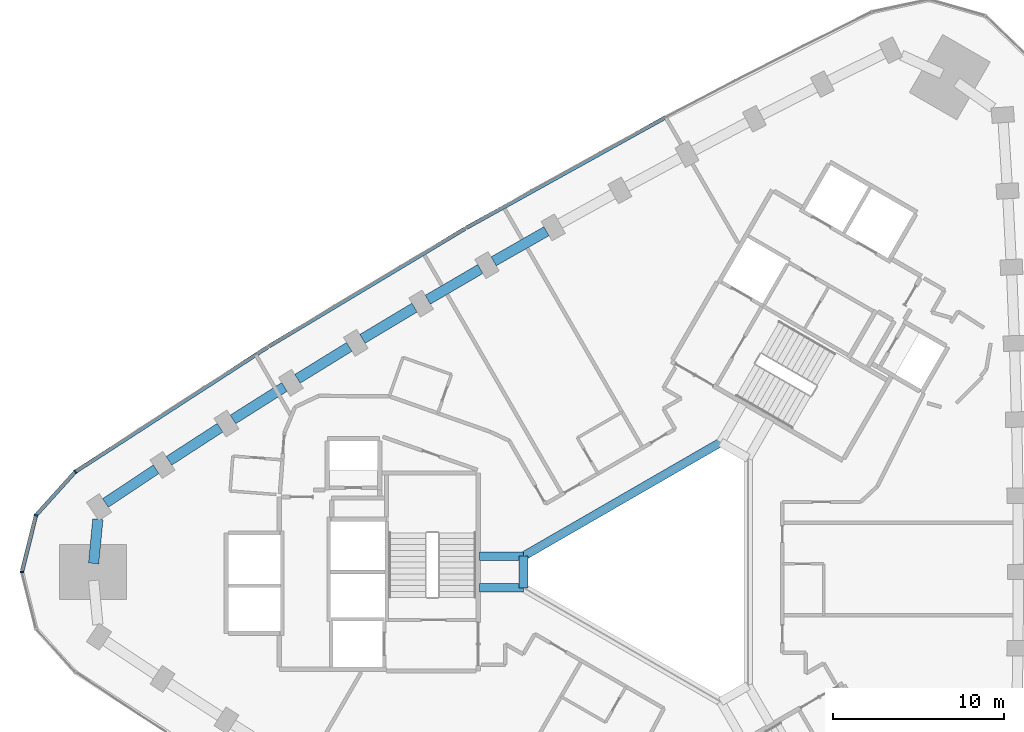
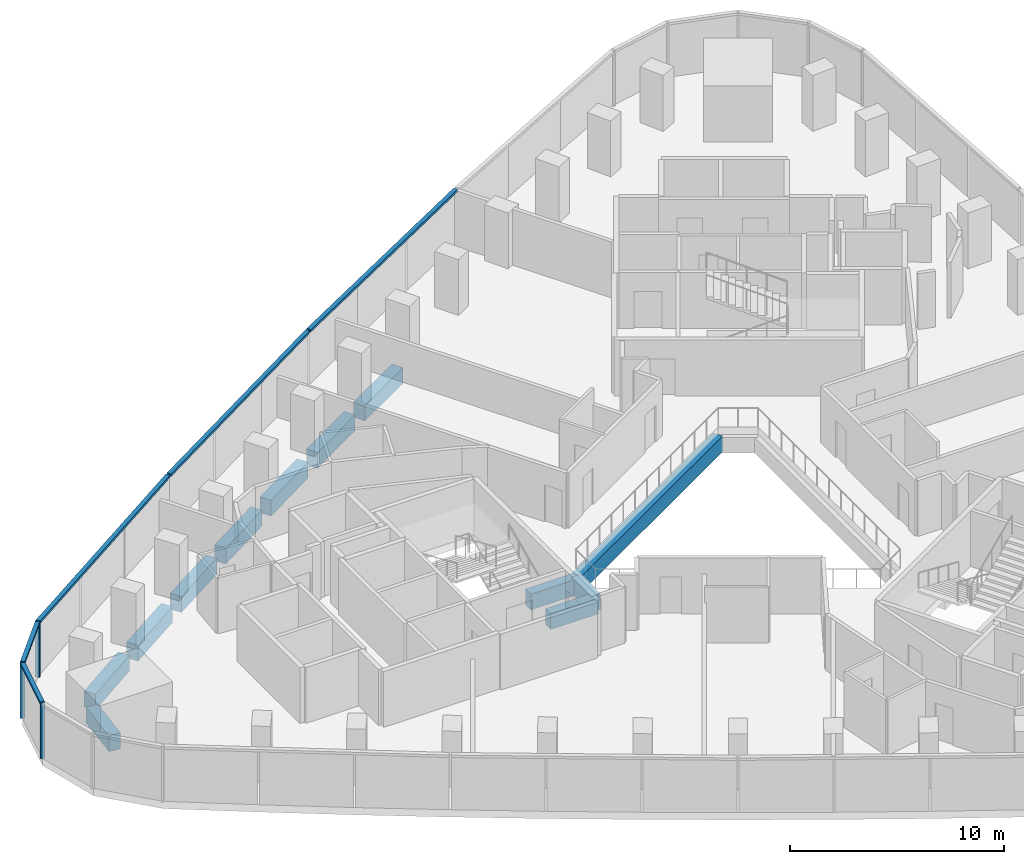
# One storey, part 4 of 12: 12 beams, 8 members, 1 element without a shape of its own.
"""IFC4 building model written with IfcOpenShell, lengths in metres."""

from ifc_helpers import new_model, si_unit, direction, frame, origin, origin_2d, place, context, subcontext, project, spatial, rectangle, extrude, material, material_profile, profile_set, type_object, element, aggregate, save


model = new_model("IFC4")

# Units and contexts
model_context = context("Model", 3, precision=1e-05, world=origin(), true_north=direction((0.0, 1.0)))
body_context = subcontext(model_context, "Body", "Model", "MODEL_VIEW")
ifc_project = project(units=[si_unit("LENGTHUNIT", "METRE"), si_unit("AREAUNIT", "SQUARE_METRE"), si_unit("VOLUMEUNIT", "CUBIC_METRE"), si_unit("PLANEANGLEUNIT", "RADIAN"), si_unit("MASSUNIT", "GRAM", prefix="KILO")], contexts=[model_context])

# Site, building, storey
site_placement = place(None, origin())
site = spatial("IfcSite", under=ifc_project, at=site_placement, CompositionType="ELEMENT")
building_placement = place(site_placement, origin())
building = spatial("IfcBuilding", under=site, at=building_placement, Name="Tamra Quay Hotel Tower", CompositionType="ELEMENT")
storey_placement = place(building_placement, frame((0.0, 0.0, 93.800048828125)))
storey = spatial("IfcBuildingStorey", under=building, at=storey_placement, Name="L22", CompositionType="ELEMENT", Elevation=93.800048828125)

# Beams
ifc_material_1 = material(Name="Concrete M60", Category="concrete")
ifc_material_profile_1 = material_profile(ifc_material_1, rectangle(XDim=0.5, YDim=0.89990234375, at=origin_2d()), Name="ATRIUM EDGE BEAM RC 500x900")
ifc_profile_set_1 = profile_set([ifc_material_profile_1], Name="Concrete M60")
beam_type_1 = type_object("IfcBeamType", Name="ATRIUM EDGE BEAM RC 500x900", PredefinedType="BEAM", material=ifc_profile_set_1)
beam_1_placement = place(storey_placement, frame((-8.199951171875, -0.923828125, -0.875), z_axis=(0.0, 1.0, 0.0), x_axis=(-1.0, 0.0, 0.0)))
element("IfcBeam", 1, at=beam_1_placement, inside=storey, type_object=beam_type_1, Name="BM-AB3-L22", PredefinedType="BEAM", context=body_context, shape_type="SweptSolid", body=[
    extrude(rectangle(XDim=0.5, YDim=0.89990234375, at=origin_2d()), origin(), (0.0, 0.0, 1.0), 1.84765625),
])
beam_2_placement = place(storey_placement, frame((-8.199951171875, 0.923828125, -0.875), z_axis=(0.866029440693, 0.499993007805, 0.0), x_axis=(-0.499993007805, 0.866029440693, 0.0)))
element("IfcBeam", 2, at=beam_2_placement, inside=storey, type_object=beam_type_1, Name="BM-AB4-L22", PredefinedType="BEAM", context=body_context, shape_type="SweptSolid", body=[
    extrude(rectangle(XDim=0.5, YDim=0.89990234375, at=origin_2d()), origin(), (0.0, 0.0, 1.0), 13.279052734375),
])
ifc_material_profile_2 = material_profile(ifc_material_1, rectangle(XDim=0.5, YDim=0.89990234375, at=origin_2d()), Name="ATRIUM TIE BEAM RC 500x900")
ifc_profile_set_2 = profile_set([ifc_material_profile_2], Name="Concrete M60")
beam_type_2 = type_object("IfcBeamType", Name="ATRIUM TIE BEAM RC 500x900", PredefinedType="BEAM", material=ifc_profile_set_2)
for number, where, z_axis, x_axis, name in (
    (3, (-8.199951171875, -0.923828125, -0.875), (-1.0, 0.0, 0.0), (0.0, -1.0, 0.0), "BM-TIE-3-L22"),
    (4, (-8.199951171875, 0.923828125, -0.875), (-1.0, 0.0, 0.0), (0.0, -1.0, 0.0), "BM-TIE-4-L22"),
):
    element("IfcBeam", number, at=place(storey_placement, frame(where, z_axis=z_axis, x_axis=x_axis)), inside=storey, type_object=beam_type_2, Name=name, PredefinedType="BEAM", context=body_context, shape_type="SweptSolid", body=[
        extrude(rectangle(XDim=0.5, YDim=0.89990234375, at=origin_2d()), origin(), (0.0, 0.0, 1.0), 2.562255859375),
    ])

# Curtain wall, members
ifc_material_2 = material(Name="Aluminium 6063 anodised dark grey", Category="aluminium")
curtain_wall_type = type_object("IfcCurtainWallType", Name="CW2 CURTAIN WALL", PredefinedType="NOTDEFINED", material=ifc_material_2)
curtain_wall_placement = place(storey_placement, origin())
curtain_wall = element("IfcCurtainWall", 5, at=curtain_wall_placement, inside=storey, type_object=curtain_wall_type, Name="CW2 north-west face L22", PredefinedType="NOTDEFINED")
ifc_material_profile_3 = material_profile(ifc_material_2, rectangle(XDim=0.219970703125, YDim=0.10009765625, at=origin_2d()), Name="MULLION 100X220")
ifc_profile_set_3 = profile_set([ifc_material_profile_3], Name="Aluminium 6063 anodised dark grey")
member_type_1 = type_object("IfcMemberType", Name="MULLION CW2 Z2", PredefinedType="MULLION", material=ifc_profile_set_3)
member_1_placement = place(storey_placement, frame((-34.338134765625, 5.839599609375, 0.0), z_axis=(0.0, 0.0, 1.0), x_axis=(-0.652886835472, 0.757455464081, 0.0)))
member_1 = element("IfcMember", 6, at=member_1_placement, type_object=member_type_1, Name="CW2 mullion L22.NW.13", PredefinedType="MULLION", context=body_context, shape_type="SweptSolid", body=[
    extrude(rectangle(XDim=0.219970703125, YDim=0.10009765625, at=origin_2d()), origin(), (0.0, 0.0, 1.0), 3.175048828125),
])
member_2_placement = place(storey_placement, frame((-36.623046875, 3.308349609375, 0.0), z_axis=(0.0, 0.0, 1.0), x_axis=(-0.882543846683, 0.47023011248, 0.0)))
member_2 = element("IfcMember", 7, at=member_2_placement, type_object=member_type_1, Name="CW2 mullion L22.NW.14", PredefinedType="MULLION", context=body_context, shape_type="SweptSolid", body=[
    extrude(rectangle(XDim=0.219970703125, YDim=0.10009765625, at=origin_2d()), origin(), (0.0, 0.0, 1.0), 3.175048828125),
])
member_3_placement = place(storey_placement, frame((-37.449462890625, 0.0, 0.0), z_axis=(0.0, 0.0, 1.0), x_axis=(-1.0, 0.0, 0.0)))
member_3 = element("IfcMember", 8, at=member_3_placement, type_object=member_type_1, Name="CW2 mullion L22.NW.15", PredefinedType="MULLION", context=body_context, shape_type="SweptSolid", body=[
    extrude(rectangle(XDim=0.219970703125, YDim=0.10009765625, at=origin_2d()), origin(), (0.0, 0.0, 1.0), 3.175048828125),
])

# Beams
ifc_material_profile_4 = material_profile(ifc_material_1, rectangle(XDim=0.60009765625, YDim=0.89990234375, at=origin_2d()), Name="SPANDREL BEAM RC 600x900")
ifc_profile_set_4 = profile_set([ifc_material_profile_4], Name="Concrete M60")
beam_type_3 = type_object("IfcBeamType", Name="SPANDREL BEAM RC 600x900", PredefinedType="SPANDREL", material=ifc_profile_set_4)
beam_3_placement = place(storey_placement, frame((-6.8583984375, 19.868896484375, -0.875), z_axis=(-0.868869699181, -0.495040852704, 0.0), x_axis=(0.495040852704, -0.868869699181, 0.0)))
element("IfcBeam", 9, at=beam_3_placement, inside=storey, type_object=beam_type_3, Name="BM-SP2-019-L22", PredefinedType="SPANDREL", context=body_context, shape_type="SweptSolid", body=[
    extrude(rectangle(XDim=0.60009765625, YDim=0.89990234375, at=origin_2d()), origin(), (0.0, 0.0, 1.0), 3.544921875),
])
for number, where, z_axis, x_axis, name in (
    (10, (-10.718017578125, 17.6640625, -0.875), (-0.863128698129, -0.504984010109, 0.0), (0.504984010109, -0.863128698129, 0.0), "BM-SP2-020-L22"),
    (11, (-14.552001953125, 15.415283203125, -0.875), (-0.857286231776, -0.514840088578, 0.0), (0.514840088578, -0.857286231776, 0.0), "BM-SP2-021-L22"),
):
    element("IfcBeam", number, at=place(storey_placement, frame(where, z_axis=z_axis, x_axis=x_axis)), inside=storey, type_object=beam_type_3, Name=name, PredefinedType="SPANDREL", context=body_context, shape_type="SweptSolid", body=[
        extrude(rectangle(XDim=0.60009765625, YDim=0.89990234375, at=origin_2d()), origin(), (0.0, 0.0, 1.0), 3.544677734375),
    ])
for number, where, z_axis, x_axis, name in (
    (12, (-18.35986328125, 13.122802734375, -0.875), (-0.851393361846, -0.524527733685, 0.0), (0.524527733685, -0.851393361846, 0.0), "BM-SP2-022-L22"),
    (13, (-22.1416015625, 10.787109375, -0.875), (-0.845333394052, -0.534239134566, 0.0), (0.534239134566, -0.845333394052, 0.0), "BM-SP2-023-L22"),
):
    element("IfcBeam", number, at=place(storey_placement, frame(where, z_axis=z_axis, x_axis=x_axis)), inside=storey, type_object=beam_type_3, Name=name, PredefinedType="SPANDREL", context=body_context, shape_type="SweptSolid", body=[
        extrude(rectangle(XDim=0.60009765625, YDim=0.89990234375, at=origin_2d()), origin(), (0.0, 0.0, 1.0), 3.544921875),
    ])
beam_4_placement = place(storey_placement, frame((-25.896240234375, 8.408203125, -0.875), z_axis=(-0.839237385713, -0.543765216266, 0.0), x_axis=(0.543765216266, -0.839237385713, 0.0)))
element("IfcBeam", 14, at=beam_4_placement, inside=storey, type_object=beam_type_3, Name="BM-SP2-024-L22", PredefinedType="SPANDREL", context=body_context, shape_type="SweptSolid", body=[
    extrude(rectangle(XDim=0.60009765625, YDim=0.89990234375, at=origin_2d()), origin(), (0.0, 0.0, 1.0), 3.544677734375),
])
beam_5_placement = place(storey_placement, frame((-29.623779296875, 5.98681640625, -0.875), z_axis=(-0.832981511469, -0.55330082374, 0.0), x_axis=(0.55330082374, -0.832981511469, 0.0)))
element("IfcBeam", 15, at=beam_5_placement, inside=storey, type_object=beam_type_3, Name="BM-SP2-025-L22", PredefinedType="SPANDREL", context=body_context, shape_type="SweptSolid", body=[
    extrude(rectangle(XDim=0.60009765625, YDim=0.89990234375, at=origin_2d()), origin(), (0.0, 0.0, 1.0), 3.544921875),
])
beam_6_placement = place(storey_placement, frame((-33.019287109375, 3.070556640625, -0.875), z_axis=(-0.09550001445, -0.995429428558, 0.0), x_axis=(0.995429428558, -0.09550001445, 0.0)))
element("IfcBeam", 16, at=beam_6_placement, inside=storey, type_object=beam_type_3, Name="BM-SP2-026-L22", PredefinedType="SPANDREL", context=body_context, shape_type="SweptSolid", body=[
    extrude(rectangle(XDim=0.60009765625, YDim=0.89990234375, at=origin_2d()), origin(), (0.0, 0.0, 1.0), 2.58447265625),
])

# Member
ifc_material_profile_5 = material_profile(ifc_material_2, rectangle(XDim=0.219970703125, YDim=0.139892578125, at=origin_2d()), Name="TRANSOM 220X140")
ifc_profile_set_5 = profile_set([ifc_material_profile_5], Name="Aluminium 6063 anodised dark grey")
member_type_2 = type_object("IfcMemberType", Name="TRANSOM CW2 Z2", PredefinedType="USERDEFINED", material=ifc_profile_set_5)
member_4_placement = place(storey_placement, frame((0.1181640625, 26.52978515625, 3.10498046875), z_axis=(-0.874459721019, -0.485098130605, 0.0), x_axis=(0.485098130605, -0.874459721019, 0.0)))
member_4 = element("IfcMember", 17, at=member_4_placement, type_object=member_type_2, Name="CW2 transom L22.NW.4", ObjectType="TRANSOM", PredefinedType="USERDEFINED", context=body_context, shape_type="SweptSolid", body=[
    extrude(rectangle(XDim=0.219970703125, YDim=0.139892578125, at=origin_2d()), origin(), (0.0, 0.0, 1.0), 13.3193359375),
])

member_5_placement = place(storey_placement, frame((-11.615478515625, 20.018798828125, 3.10498046875), z_axis=(-0.857332765871, -0.514762594372, 0.0), x_axis=(0.514762594372, -0.857332765871, 0.0)))
member_5 = element("IfcMember", 18, at=member_5_placement, type_object=member_type_2, Name="CW2 transom L22.NW.7", ObjectType="TRANSOM", PredefinedType="USERDEFINED", context=body_context, shape_type="SweptSolid", body=[
    extrude(rectangle(XDim=0.219970703125, YDim=0.139892578125, at=origin_2d()), origin(), (0.0, 0.0, 1.0), 13.319091796875),
])

member_6_placement = place(storey_placement, frame((-23.119384765625, 13.109619140625, 3.10498046875), z_axis=(-0.8392271939, -0.543780945804, 0.0), x_axis=(0.543780945804, -0.8392271939, 0.0)))
member_6 = element("IfcMember", 19, at=member_6_placement, type_object=member_type_2, Name="CW2 transom L22.NW.10", ObjectType="TRANSOM", PredefinedType="USERDEFINED", context=body_context, shape_type="SweptSolid", body=[
    extrude(rectangle(XDim=0.219970703125, YDim=0.139892578125, at=origin_2d()), origin(), (0.0, 0.0, 1.0), 13.318115234375),
])

member_7_placement = place(storey_placement, frame((-34.37158203125, 5.802490234375, 3.10498046875), z_axis=(-0.670080516261, -0.742288422196, 0.0), x_axis=(0.742288422196, -0.670080516261, 0.0)))
member_7 = element("IfcMember", 20, at=member_7_placement, type_object=member_type_2, Name="CW2 transom L22.NW.13", ObjectType="TRANSOM", PredefinedType="USERDEFINED", context=body_context, shape_type="SweptSolid", body=[
    extrude(rectangle(XDim=0.219970703125, YDim=0.139892578125, at=origin_2d()), origin(), (0.0, 0.0, 1.0), 3.31005859375),
])

member_8_placement = place(storey_placement, frame((-36.63525390625, 3.260009765625, 3.10498046875), z_axis=(-0.242292652285, -0.970203211007, 0.0), x_axis=(0.970203211007, -0.242292652285, 0.0)))
member_8 = element("IfcMember", 21, at=member_8_placement, type_object=member_type_2, Name="CW2 transom L22.NW.14", ObjectType="TRANSOM", PredefinedType="USERDEFINED", context=body_context, shape_type="SweptSolid", body=[
    extrude(rectangle(XDim=0.219970703125, YDim=0.139892578125, at=origin_2d()), origin(), (0.0, 0.0, 1.0), 3.31005859375),
])

aggregate(curtain_wall, [member_4, member_5, member_6, member_1, member_7, member_2, member_8, member_3])

save(model, "model.ifc")
